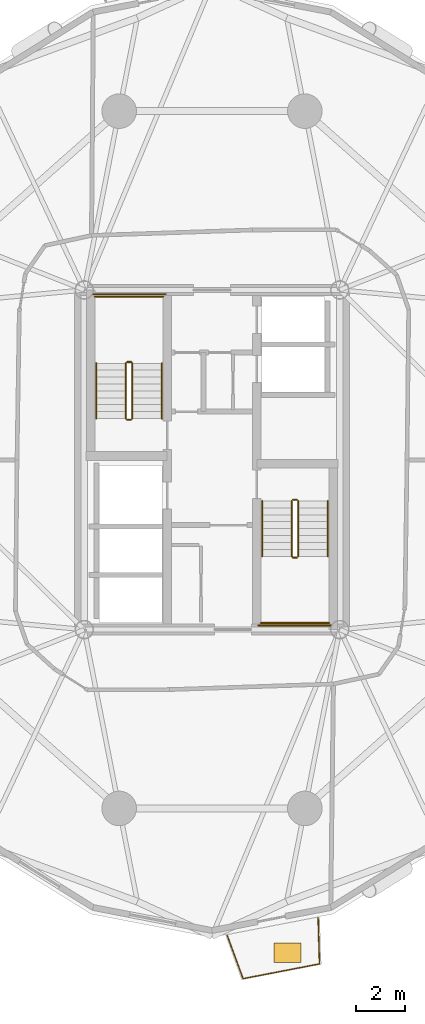
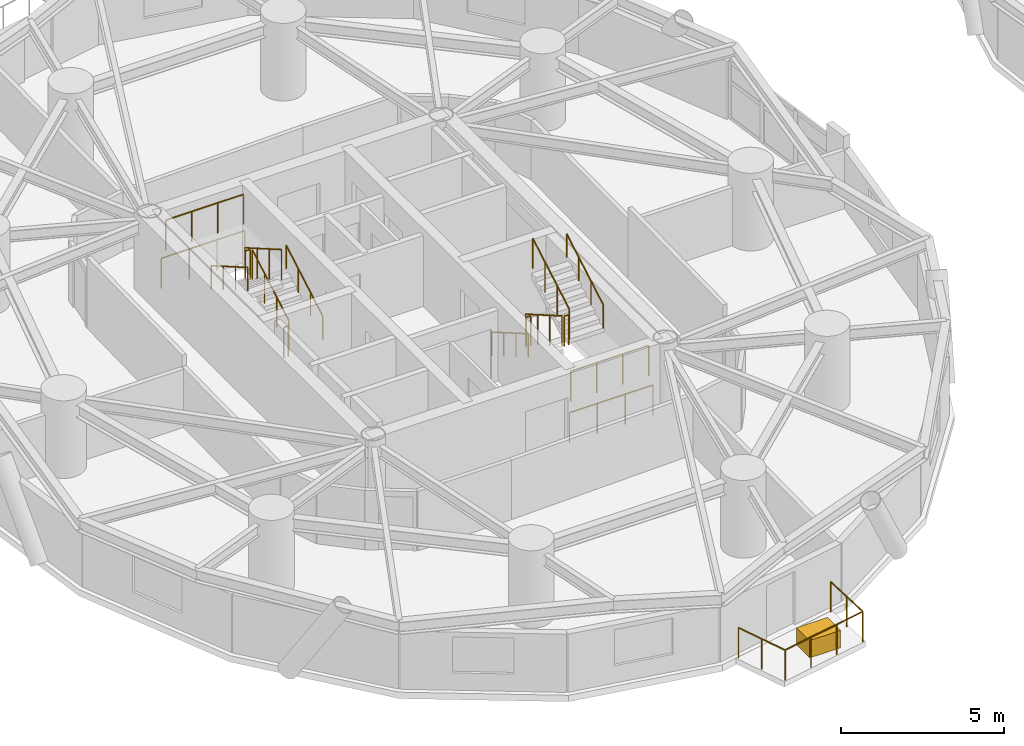
# One storey, part 15 of 17: 17 railings, 1 covering.
"""IFC4 building model written with IfcOpenShell, lengths in metres."""

import ifcopenshell
import ifcopenshell.guid

model = None  # the IFC model being written
_history = None  # IfcOwnerHistory: only IFC2X3 demands one
_inside = {}  # id of a spatial element -> (the spatial element, [elements in it])
_under = {}  # id of a project, library or spatial element -> (it, [spatial elements below it])
_declared = {}  # id of a project -> (the project, [libraries it declares])
_typed = {}  # id of a type object -> (the type object, [elements of that type])
_made_of = {}  # id of a material, layer set ... -> (it, [elements and type objects made of it])


def new_model(schema):
    """Start an empty IFC model of exactly this schema.

    Asked for "IFC4X3", IfcOpenShell would pick the latest addendum, in which some entities
    have other attributes; the version numbers below select the first issue.
    IFC2X3 requires an IfcOwnerHistory on every rooted entity: one is made here for all.
    """
    global model, _history
    if schema == "IFC4X3":
        model = ifcopenshell.file(schema_version=(4, 3, 0, 0))
    else:
        model = ifcopenshell.file(schema=schema)
    _inside.clear()
    _under.clear()
    _declared.clear()
    _typed.clear()
    _made_of.clear()
    _history = None
    if model.schema == "IFC2X3":
        org = make("IfcOrganization", Name="unknown")
        user = make(
            "IfcPersonAndOrganization",
            ThePerson=make("IfcPerson", FamilyName="unknown"),
            TheOrganization=org,
        )
        app = make(
            "IfcApplication",
            ApplicationDeveloper=org,
            Version="unknown",
            ApplicationFullName="unknown",
            ApplicationIdentifier="unknown",
        )
        _history = make(
            "IfcOwnerHistory",
            OwningUser=user,
            OwningApplication=app,
            ChangeAction="ADDED",
            CreationDate=0,
        )
    return model


def make(cls, **values):
    """One entity of the class cls with the attributes given. An attribute that is None is left unset."""
    return model.create_entity(
        cls, **{name: value for name, value in values.items() if value is not None}
    )


def rooted(cls, **values):
    """An entity with a GlobalId (a new one), such as an element, a storey or a relation."""
    return make(cls, GlobalId=ifcopenshell.guid.new(), OwnerHistory=_history, **values)


def si_unit(unit_type, name, prefix=None):
    """IfcSIUnit, for example si_unit("LENGTHUNIT", "METRE", prefix="MILLI")."""
    return make("IfcSIUnit", UnitType=unit_type, Prefix=prefix, Name=name)


def assignment(units):
    """IfcUnitAssignment: the units of a project."""
    return None if units is None else make("IfcUnitAssignment", Units=units)


def point(xyz):
    """IfcCartesianPoint."""
    return None if xyz is None else make("IfcCartesianPoint", Coordinates=xyz)


def direction(xyz):
    """IfcDirection."""
    return None if xyz is None else make("IfcDirection", DirectionRatios=xyz)


def frame(location, z_axis=None, x_axis=None):
    """IfcAxis2Placement3D, a coordinate frame: its origin and axes. An axis left out is left unset."""
    return make(
        "IfcAxis2Placement3D",
        Location=point(location),
        Axis=direction(z_axis),
        RefDirection=direction(x_axis),
    )


def frame_2d(location, x_axis=None):
    """IfcAxis2Placement2D, a coordinate frame in the plane: its origin and x axis."""
    return make(
        "IfcAxis2Placement2D", Location=point(location), RefDirection=direction(x_axis)
    )


def origin():
    """The frame at (0, 0, 0) with its axes left unset."""
    return frame((0.0, 0.0, 0.0))


def origin_2d():
    """The frame at (0, 0) in the plane with its x axis left unset."""
    return frame_2d((0.0, 0.0))


def place(relative_to, where):
    """IfcLocalPlacement: puts the frame where relative to a parent placement (None: the world)."""
    return make(
        "IfcLocalPlacement", PlacementRelTo=relative_to, RelativePlacement=where
    )


def context(
    kind, dimensions, precision=None, world=None, true_north=None, identifier=None
):
    """IfcGeometricRepresentationContext, for example the 3D "Model" context."""
    return make(
        "IfcGeometricRepresentationContext",
        ContextIdentifier=identifier,
        ContextType=kind,
        CoordinateSpaceDimension=dimensions,
        Precision=precision,
        WorldCoordinateSystem=world,
        TrueNorth=true_north,
    )


def subcontext(parent, identifier, kind, view, scale=None):
    """IfcGeometricRepresentationSubContext, for example "Body" below "Model"."""
    return make(
        "IfcGeometricRepresentationSubContext",
        ContextIdentifier=identifier,
        ContextType=kind,
        ParentContext=parent,
        TargetScale=scale,
        TargetView=view,
    )


def project(units=None, contexts=None):
    """IfcProject with its units and contexts."""
    return rooted(
        "IfcProject",
        Name="project",
        RepresentationContexts=contexts,
        UnitsInContext=assignment(units),
    )


def spatial(cls, under=None, at=None, **own):
    """A site, building, storey or space (cls), placed at a placement, below another one or the project."""
    s = rooted(cls, ObjectPlacement=at, **own)
    if under is not None:
        _under.setdefault(under.id(), (under, []))[1].append(s)
    return s


def profile(cls, at=None, kind="AREA", **sizes):
    """A parametric profile (cls). Its sizes go by their IFC names, for example OverallWidth=200.0."""
    return make(cls, ProfileType=kind, Position=at, **sizes)


def rectangle(**sizes):
    """IfcRectangleProfileDef."""
    return profile("IfcRectangleProfileDef", **sizes)


def circle(**sizes):
    """IfcCircleProfileDef."""
    return profile("IfcCircleProfileDef", **sizes)


def extrude(swept, where, along, depth):
    """IfcExtrudedAreaSolid: the profile swept, set in the frame where, extruded along a direction by depth."""
    return make(
        "IfcExtrudedAreaSolid",
        SweptArea=swept,
        Position=where,
        ExtrudedDirection=direction(along),
        Depth=depth,
    )


def shape(context_of_items, identifier, shape_type, items):
    """IfcShapeRepresentation: the items that make up one representation, for example the "Body"."""
    return make(
        "IfcShapeRepresentation",
        ContextOfItems=context_of_items,
        RepresentationIdentifier=identifier,
        RepresentationType=shape_type,
        Items=items,
    )


def source(mapping_origin, context_of_items, identifier, shape_type, items):
    """IfcRepresentationMap: a shape defined once, which mapped items show again and again."""
    return make(
        "IfcRepresentationMap",
        MappingOrigin=mapping_origin,
        MappedRepresentation=shape(context_of_items, identifier, shape_type, items),
    )


def transform(
    local_origin,
    x_axis=None,
    y_axis=None,
    z_axis=None,
    scale=None,
    scale2=None,
    scale3=None,
    uniform=True,
):
    """IfcCartesianTransformationOperator3D, or its non-uniform kind. x_axis, y_axis, z_axis: its Axis1, 2, 3."""
    if uniform:
        return make(
            "IfcCartesianTransformationOperator3D",
            Axis1=direction(x_axis),
            Axis2=direction(y_axis),
            LocalOrigin=point(local_origin),
            Scale=scale,
            Axis3=direction(z_axis),
        )
    return make(
        "IfcCartesianTransformationOperator3DnonUniform",
        Axis1=direction(x_axis),
        Axis2=direction(y_axis),
        LocalOrigin=point(local_origin),
        Scale=scale,
        Axis3=direction(z_axis),
        Scale2=scale2,
        Scale3=scale3,
    )


def mapped(mapping_source, mapping_target):
    """IfcMappedItem: shows the shape of a source again, moved by a transform."""
    return make(
        "IfcMappedItem", MappingSource=mapping_source, MappingTarget=mapping_target
    )


def material(Name=None, Category=None):
    """IfcMaterial."""
    return make("IfcMaterial", Name=Name, Category=Category)


def layer(
    of_material, thickness, ventilated=None, Name=None, Category=None, Priority=None
):
    """IfcMaterialLayer: one layer of a wall or slab, of a material (None: an air gap)."""
    return make(
        "IfcMaterialLayer",
        Material=of_material,
        LayerThickness=thickness,
        IsVentilated=ventilated,
        Name=Name,
        Category=Category,
        Priority=Priority,
    )


def layer_set(layers, Name=None):
    """IfcMaterialLayerSet."""
    return make("IfcMaterialLayerSet", MaterialLayers=layers, LayerSetName=Name)


def made_of(thing, what):
    """Note that an element or type object is made of a material, layer set ...; save() writes the relation."""
    if what is not None:
        _made_of.setdefault(what.id(), (what, []))[1].append(thing)
    return thing


def type_object(cls, material=None, **own):
    """A type object (cls), such as IfcWallType, which elements share."""
    return made_of(rooted(cls, **own), material)


def element(
    cls,
    number,
    at=None,
    inside=None,
    cuts=None,
    type_object=None,
    material=None,
    context=None,
    identifier="Body",
    shape_type=None,
    held_by="IfcProductDefinitionShape",
    body=None,
    shapes=None,
    **own,
):
    """One element of the class cls, such as IfcWall. Its Tag is "e" and its number.

    at: its placement. inside: the storey or other place that contains it. cuts: it is an
    opening in that element (IfcRelVoidsElement). A single representation is given by context,
    identifier, shape_type and body (its items); several are given by shapes. held_by: the class
    of the entity that holds the representations. save() writes the other relations.
    """
    e = rooted(cls, Tag="e%d" % number, ObjectPlacement=at, **own)
    if body is not None:
        shapes = [shape(context, identifier, shape_type, body)]
    if shapes is not None:
        e.Representation = make(held_by, Representations=shapes)
    if inside is not None:
        _inside.setdefault(inside.id(), (inside, []))[1].append(e)
    if cuts is not None:
        rooted(
            "IfcRelVoidsElement", RelatingBuildingElement=cuts, RelatedOpeningElement=e
        )
    if type_object is not None:
        _typed.setdefault(type_object.id(), (type_object, []))[1].append(e)
    return made_of(e, material)


def aggregate(whole, parts):
    """IfcRelAggregates: a whole, such as a stair, and the parts it consists of."""
    return rooted("IfcRelAggregates", RelatingObject=whole, RelatedObjects=parts)


def save(model, path):
    """Write the relations noted so far, then the file.

    IfcRelAggregates (storeys below a building ...), IfcRelContainedInSpatialStructure (elements
    in a storey), IfcRelDefinesByType, IfcRelAssociatesMaterial and IfcRelDeclares: one each for
    every whole, place, type object, material and project.
    """
    for whole, parts in _under.values():
        aggregate(whole, parts)
    for where, things in _inside.values():
        rooted(
            "IfcRelContainedInSpatialStructure",
            RelatedElements=things,
            RelatingStructure=where,
        )
    for kind, things in _typed.values():
        rooted("IfcRelDefinesByType", RelatedObjects=things, RelatingType=kind)
    for what, things in _made_of.values():
        rooted("IfcRelAssociatesMaterial", RelatedObjects=things, RelatingMaterial=what)
    for by, libraries in _declared.values():
        rooted("IfcRelDeclares", RelatingContext=by, RelatedDefinitions=libraries)
    model.write(path)


model = new_model("IFC4")

# Units and contexts
model_context = context("Model", 3, precision=1e-05, world=origin(), true_north=direction((0.0, 1.0)))
body_context = subcontext(model_context, "Body", "Model", "MODEL_VIEW")
ifc_project = project(units=[si_unit("LENGTHUNIT", "METRE"), si_unit("AREAUNIT", "SQUARE_METRE"), si_unit("VOLUMEUNIT", "CUBIC_METRE"), si_unit("PLANEANGLEUNIT", "RADIAN"), si_unit("MASSUNIT", "GRAM", prefix="KILO")], contexts=[model_context])

# Site, building, storey
site_placement = place(None, origin())
site = spatial("IfcSite", under=ifc_project, at=site_placement, CompositionType="ELEMENT")
building_placement = place(site_placement, origin())
building = spatial("IfcBuilding", under=site, at=building_placement, Name="Cununo Teusaquillo Station Towers", CompositionType="ELEMENT")
storey_placement = place(building_placement, frame((0.0, 0.0, 70.14990234375)))
storey = spatial("IfcBuildingStorey", under=building, at=storey_placement, Name="L21", CompositionType="ELEMENT", Elevation=70.14990234375)

# Railings
ifc_material_1 = material(Name="Anodised dark bronze aluminium EN AW-6063-T6", Category="aluminium")
railing_type_1 = type_object("IfcRailingType", Name="RL-EXT-GUARD", PredefinedType="GUARDRAIL", material=ifc_material_1)
railing_1_placement = place(storey_placement, frame((20.79833984375, 5.939453125, 0.0)))
element("IfcRailing", 1, at=railing_1_placement, inside=storey, type_object=railing_type_1, Name="L21 Tower A Balcony Guardrail C15", PredefinedType="GUARDRAIL", context=body_context, shape_type="SweptSolid", body=[
    extrude(circle(Radius=0.02392578125, at=origin_2d()), frame((0.0, 0.0, 1.1259765625), z_axis=(0.030662031384, -0.999529809376, 0.0), x_axis=(0.999529809376, 0.030662031384, 0.0)), (0.0, 0.0, 1.0), 1.86328125),
    extrude(circle(Radius=0.02392578125, at=origin_2d()), frame((0.05712890625, -1.8623046875, 1.1259765625), z_axis=(-0.981834317938, -0.189740275429, 0.0), x_axis=(0.189740275429, -0.981834317938, 0.0)), (0.0, 0.0, 1.0), 3.15380859375),
    extrude(circle(Radius=0.02392578125, at=origin_2d()), frame((-3.039306640625, -2.460693359375, 1.1259765625), z_axis=(-0.343962021681, 0.9389835609, 0.0), x_axis=(-0.9389835609, -0.343962021681, 0.0)), (0.0, 0.0, 1.0), 1.86328125),
    extrude(circle(Radius=0.02099609375, at=origin_2d()), origin(), (0.0, 0.0, 1.0), 1.101806640625),
    extrude(circle(Radius=0.02099609375, at=origin_2d()), frame((0.028564453125, -0.93115234375, 0.0)), (0.0, 0.0, 1.0), 1.101806640625),
    extrude(circle(Radius=0.02099609375, at=origin_2d()), frame((0.05712890625, -1.8623046875, 0.0)), (0.0, 0.0, 1.0), 1.101806640625),
    extrude(circle(Radius=0.02099609375, at=origin_2d()), frame((-0.97509765625, -2.061767578125, 0.0)), (0.0, 0.0, 1.0), 1.101806640625),
    extrude(circle(Radius=0.02099609375, at=origin_2d()), frame((-2.007080078125, -2.26123046875, 0.0)), (0.0, 0.0, 1.0), 1.101806640625),
    extrude(circle(Radius=0.02099609375, at=origin_2d()), frame((-3.039306640625, -2.460693359375, 0.0)), (0.0, 0.0, 1.0), 1.101806640625),
    extrude(circle(Radius=0.02099609375, at=origin_2d()), frame((-3.35986328125, -1.5859375, 0.0)), (0.0, 0.0, 1.0), 1.101806640625),
    extrude(circle(Radius=0.02099609375, at=origin_2d()), frame((-3.68017578125, -0.711181640625, 0.0)), (0.0, 0.0, 1.0), 1.101806640625),
])
ifc_material_2 = material(Name="Steel EN 10025-2 S355J2", Category="steel")
railing_type_2 = type_object("IfcRailingType", Name="RL-INT-GUARD", PredefinedType="GUARDRAIL", material=ifc_material_2)
railing_2_placement = place(storey_placement, frame((13.27001953125, 26.169921875, 0.161865234375)))
element("IfcRailing", 2, at=railing_2_placement, inside=storey, type_object=railing_type_2, Name="L21 ST-T1-1 stair guard 1", PredefinedType="GUARDRAIL", context=body_context, shape_type="SweptSolid", body=[
    extrude(circle(Radius=0.02392578125, at=origin_2d()), frame((0.0, 0.0, 1.1259765625), z_axis=(0.0, 0.866033117094, 0.499986639918), x_axis=(-1.0, 0.0, 0.0)), (0.0, 0.0, 1.0), 2.58642578125),
    extrude(circle(Radius=0.02099609375, at=origin_2d()), origin(), (0.0, 0.0, 1.0), 1.101806640625),
    extrude(circle(Radius=0.02099609375, at=origin_2d()), frame((0.0, 0.74658203125, 0.43115234375)), (0.0, 0.0, 1.0), 1.101806640625),
    extrude(circle(Radius=0.02099609375, at=origin_2d()), frame((0.0, 1.493408203125, 0.862060546875)), (0.0, 0.0, 1.0), 1.101806640625),
    extrude(circle(Radius=0.02099609375, at=origin_2d()), frame((0.0, 2.239990234375, 1.293212890625)), (0.0, 0.0, 1.0), 1.101806640625),
])
railing_3_placement = place(storey_placement, frame((13.219970703125, 28.4599609375, 1.455078125)))
element("IfcRailing", 3, at=railing_3_placement, inside=storey, type_object=railing_type_2, Name="L21 ST-T1-1 stair guard 2", PredefinedType="GUARDRAIL", context=body_context, shape_type="SweptSolid", body=[
    extrude(circle(Radius=0.02392578125, at=origin_2d()), frame((0.0, 0.0, 1.1259765625), z_axis=(-1.0, 0.0, 0.0), x_axis=(0.0, -1.0, 0.0)), (0.0, 0.0, 1.0), 0.159912109375),
    extrude(circle(Radius=0.02099609375, at=origin_2d()), origin(), (0.0, 0.0, 1.0), 1.101806640625),
    extrude(circle(Radius=0.02099609375, at=origin_2d()), frame((-0.159912109375, 0.0, 0.0)), (0.0, 0.0, 1.0), 1.101806640625),
])
railing_4_placement = place(storey_placement, frame((14.52001953125, 31.110107421875, 1.455078125)))
element("IfcRailing", 4, at=railing_4_placement, inside=storey, type_object=railing_type_2, Name="L21 ST-T1-1 stair guard 3", PredefinedType="GUARDRAIL", context=body_context, shape_type="SweptSolid", body=[
    extrude(circle(Radius=0.02392578125, at=origin_2d()), frame((0.0, 0.0, 1.1259765625), z_axis=(-1.0, 0.0, 0.0), x_axis=(0.0, -1.0, 0.0)), (0.0, 0.0, 1.0), 2.760009765625),
    extrude(circle(Radius=0.02099609375, at=origin_2d()), origin(), (0.0, 0.0, 1.0), 1.101806640625),
    extrude(circle(Radius=0.02099609375, at=origin_2d()), frame((-0.919921875, 0.0, 0.0)), (0.0, 0.0, 1.0), 1.101806640625),
    extrude(circle(Radius=0.02099609375, at=origin_2d()), frame((-1.840087890625, 0.0, 0.0)), (0.0, 0.0, 1.0), 1.101806640625),
    extrude(circle(Radius=0.02099609375, at=origin_2d()), frame((-2.760009765625, 0.0, 0.0)), (0.0, 0.0, 1.0), 1.101806640625),
])
railing_5_placement = place(storey_placement, frame((13.010009765625, 28.409912109375, 1.61669921875)))
element("IfcRailing", 5, at=railing_5_placement, inside=storey, type_object=railing_type_2, Name="L21 ST-T1-1 stair guard 4", PredefinedType="GUARDRAIL", context=body_context, shape_type="SweptSolid", body=[
    extrude(circle(Radius=0.02392578125, at=origin_2d()), frame((0.0, 0.0, 1.1259765625), z_axis=(0.0, -0.865992244559, 0.500057429065), x_axis=(1.0, 0.0, 0.0)), (0.0, 0.0, 1.0), 2.586669921875),
    extrude(circle(Radius=0.02099609375, at=origin_2d()), origin(), (0.0, 0.0, 1.0), 1.101806640625),
    extrude(circle(Radius=0.02099609375, at=origin_2d()), frame((0.0, -0.74658203125, 0.43115234375)), (0.0, 0.0, 1.0), 1.101806640625),
    extrude(circle(Radius=0.02099609375, at=origin_2d()), frame((0.0, -1.493408203125, 0.8623046875)), (0.0, 0.0, 1.0), 1.101806640625),
    extrude(circle(Radius=0.02099609375, at=origin_2d()), frame((0.0, -2.239990234375, 1.29345703125)), (0.0, 0.0, 1.0), 1.101806640625),
])
railing_6_placement = place(storey_placement, frame((13.219970703125, 26.1201171875, 0.0)))
element("IfcRailing", 6, at=railing_6_placement, inside=storey, type_object=railing_type_2, Name="L21 ST-T1-1 stair guard 5", PredefinedType="GUARDRAIL", context=body_context, shape_type="SweptSolid", body=[
    extrude(circle(Radius=0.02392578125, at=origin_2d()), frame((0.0, 0.0, 1.1259765625), z_axis=(-1.0, 0.0, 0.0), x_axis=(0.0, -1.0, 0.0)), (0.0, 0.0, 1.0), 0.159912109375),
    extrude(circle(Radius=0.02099609375, at=origin_2d()), origin(), (0.0, 0.0, 1.0), 1.101806640625),
    extrude(circle(Radius=0.02099609375, at=origin_2d()), frame((-0.159912109375, 0.0, 0.0)), (0.0, 0.0, 1.0), 1.101806640625),
])
railing_7_placement = place(storey_placement, frame((14.6201171875, 31.2099609375, 0.0)))
element("IfcRailing", 7, at=railing_7_placement, inside=storey, type_object=railing_type_2, Name="L21 ST-T1-1 stair guard 6", PredefinedType="GUARDRAIL", context=body_context, shape_type="SweptSolid", body=[
    extrude(circle(Radius=0.02392578125, at=origin_2d()), frame((0.0, 0.0, 1.1259765625), z_axis=(-1.0, 0.0, 0.0), x_axis=(0.0, -1.0, 0.0)), (0.0, 0.0, 1.0), 2.960205078125),
    extrude(circle(Radius=0.02099609375, at=origin_2d()), origin(), (0.0, 0.0, 1.0), 1.101806640625),
    extrude(circle(Radius=0.02099609375, at=origin_2d()), frame((-0.98681640625, 0.0, 0.0)), (0.0, 0.0, 1.0), 1.101806640625),
    extrude(circle(Radius=0.02099609375, at=origin_2d()), frame((-1.973388671875, 0.0, 0.0)), (0.0, 0.0, 1.0), 1.101806640625),
    extrude(circle(Radius=0.02099609375, at=origin_2d()), frame((-2.960205078125, 0.0, 0.0)), (0.0, 0.0, 1.0), 1.101806640625),
])
railing_8_placement = place(storey_placement, frame((19.72998046875, 22.830078125, 0.161865234375)))
element("IfcRailing", 8, at=railing_8_placement, inside=storey, type_object=railing_type_2, Name="L21 ST-T1-2 stair guard 1", PredefinedType="GUARDRAIL", context=body_context, shape_type="SweptSolid", body=[
    extrude(circle(Radius=0.02392578125, at=origin_2d()), frame((0.0, 0.0, 1.1259765625), z_axis=(0.0, -0.866033117094, 0.499986639918), x_axis=(1.0, 0.0, 0.0)), (0.0, 0.0, 1.0), 2.58642578125),
    extrude(circle(Radius=0.02099609375, at=origin_2d()), origin(), (0.0, 0.0, 1.0), 1.101806640625),
    extrude(circle(Radius=0.02099609375, at=origin_2d()), frame((0.0, -0.74658203125, 0.43115234375)), (0.0, 0.0, 1.0), 1.101806640625),
    extrude(circle(Radius=0.02099609375, at=origin_2d()), frame((0.0, -1.493408203125, 0.862060546875)), (0.0, 0.0, 1.0), 1.101806640625),
    extrude(circle(Radius=0.02099609375, at=origin_2d()), frame((0.0, -2.239990234375, 1.293212890625)), (0.0, 0.0, 1.0), 1.101806640625),
])
railing_9_placement = place(storey_placement, frame((19.780029296875, 20.5400390625, 1.455078125)))
element("IfcRailing", 9, at=railing_9_placement, inside=storey, type_object=railing_type_2, Name="L21 ST-T1-2 stair guard 2", PredefinedType="GUARDRAIL", context=body_context, shape_type="SweptSolid", body=[
    extrude(circle(Radius=0.02392578125, at=origin_2d()), frame((0.0, 0.0, 1.1259765625), z_axis=(1.0, 0.0, 0.0), x_axis=(0.0, 1.0, 0.0)), (0.0, 0.0, 1.0), 0.159912109375),
    extrude(circle(Radius=0.02099609375, at=origin_2d()), origin(), (0.0, 0.0, 1.0), 1.101806640625),
    extrude(circle(Radius=0.02099609375, at=origin_2d()), frame((0.159912109375, 0.0, 0.0)), (0.0, 0.0, 1.0), 1.101806640625),
])
railing_10_placement = place(storey_placement, frame((18.47998046875, 17.889892578125, 1.455078125)))
element("IfcRailing", 10, at=railing_10_placement, inside=storey, type_object=railing_type_2, Name="L21 ST-T1-2 stair guard 3", PredefinedType="GUARDRAIL", context=body_context, shape_type="SweptSolid", body=[
    extrude(circle(Radius=0.02392578125, at=origin_2d()), frame((0.0, 0.0, 1.1259765625), z_axis=(1.0, 0.0, 0.0), x_axis=(0.0, 1.0, 0.0)), (0.0, 0.0, 1.0), 2.760009765625),
    extrude(circle(Radius=0.02099609375, at=origin_2d()), origin(), (0.0, 0.0, 1.0), 1.101806640625),
    extrude(circle(Radius=0.02099609375, at=origin_2d()), frame((0.919921875, 0.0, 0.0)), (0.0, 0.0, 1.0), 1.101806640625),
    extrude(circle(Radius=0.02099609375, at=origin_2d()), frame((1.840087890625, 0.0, 0.0)), (0.0, 0.0, 1.0), 1.101806640625),
    extrude(circle(Radius=0.02099609375, at=origin_2d()), frame((2.760009765625, 0.0, 0.0)), (0.0, 0.0, 1.0), 1.101806640625),
])
railing_11_placement = place(storey_placement, frame((19.989990234375, 20.590087890625, 1.61669921875)))
element("IfcRailing", 11, at=railing_11_placement, inside=storey, type_object=railing_type_2, Name="L21 ST-T1-2 stair guard 4", PredefinedType="GUARDRAIL", context=body_context, shape_type="SweptSolid", body=[
    extrude(circle(Radius=0.02392578125, at=origin_2d()), frame((0.0, 0.0, 1.1259765625), z_axis=(0.0, 0.865992244559, 0.500057429065), x_axis=(-1.0, 0.0, 0.0)), (0.0, 0.0, 1.0), 2.586669921875),
    extrude(circle(Radius=0.02099609375, at=origin_2d()), origin(), (0.0, 0.0, 1.0), 1.101806640625),
    extrude(circle(Radius=0.02099609375, at=origin_2d()), frame((0.0, 0.74658203125, 0.43115234375)), (0.0, 0.0, 1.0), 1.101806640625),
    extrude(circle(Radius=0.02099609375, at=origin_2d()), frame((0.0, 1.493408203125, 0.8623046875)), (0.0, 0.0, 1.0), 1.101806640625),
    extrude(circle(Radius=0.02099609375, at=origin_2d()), frame((0.0, 2.239990234375, 1.29345703125)), (0.0, 0.0, 1.0), 1.101806640625),
])
railing_12_placement = place(storey_placement, frame((19.780029296875, 22.8798828125, 0.0)))
element("IfcRailing", 12, at=railing_12_placement, inside=storey, type_object=railing_type_2, Name="L21 ST-T1-2 stair guard 5", PredefinedType="GUARDRAIL", context=body_context, shape_type="SweptSolid", body=[
    extrude(circle(Radius=0.02392578125, at=origin_2d()), frame((0.0, 0.0, 1.1259765625), z_axis=(1.0, 0.0, 0.0), x_axis=(0.0, 1.0, 0.0)), (0.0, 0.0, 1.0), 0.159912109375),
    extrude(circle(Radius=0.02099609375, at=origin_2d()), origin(), (0.0, 0.0, 1.0), 1.101806640625),
    extrude(circle(Radius=0.02099609375, at=origin_2d()), frame((0.159912109375, 0.0, 0.0)), (0.0, 0.0, 1.0), 1.101806640625),
])
railing_13_placement = place(storey_placement, frame((18.3798828125, 17.7900390625, 0.0)))
element("IfcRailing", 13, at=railing_13_placement, inside=storey, type_object=railing_type_2, Name="L21 ST-T1-2 stair guard 6", PredefinedType="GUARDRAIL", context=body_context, shape_type="SweptSolid", body=[
    extrude(circle(Radius=0.02392578125, at=origin_2d()), frame((0.0, 0.0, 1.1259765625), z_axis=(1.0, 0.0, 0.0), x_axis=(0.0, 1.0, 0.0)), (0.0, 0.0, 1.0), 2.960205078125),
    extrude(circle(Radius=0.02099609375, at=origin_2d()), origin(), (0.0, 0.0, 1.0), 1.101806640625),
    extrude(circle(Radius=0.02099609375, at=origin_2d()), frame((0.98681640625, 0.0, 0.0)), (0.0, 0.0, 1.0), 1.101806640625),
    extrude(circle(Radius=0.02099609375, at=origin_2d()), frame((1.973388671875, 0.0, 0.0)), (0.0, 0.0, 1.0), 1.101806640625),
    extrude(circle(Radius=0.02099609375, at=origin_2d()), frame((2.960205078125, 0.0, 0.0)), (0.0, 0.0, 1.0), 1.101806640625),
])
ifc_material_3 = material(Name="Steel EN 10025-2 S355J2", Category="steel")
railing_type_3 = type_object("IfcRailingType", Name="RL-INT-HRAIL", PredefinedType="HANDRAIL", material=ifc_material_3)
railing_14_placement = place(storey_placement, frame((14.469970703125, 26.169921875, 0.161865234375)))
element("IfcRailing", 14, at=railing_14_placement, inside=storey, type_object=railing_type_3, Name="L21 ST-T1-1 stair handrail 1", PredefinedType="HANDRAIL", context=body_context, shape_type="SweptSolid", body=[
    extrude(circle(Radius=0.02392578125, at=origin_2d()), frame((0.0, 0.0, 0.8759765625), z_axis=(0.0, 0.866033117094, 0.499986639918), x_axis=(-1.0, 0.0, 0.0)), (0.0, 0.0, 1.0), 2.58642578125),
    extrude(circle(Radius=0.02099609375, at=origin_2d()), origin(), (0.0, 0.0, 1.0), 0.851806640625),
    extrude(circle(Radius=0.02099609375, at=origin_2d()), frame((0.0, 0.74658203125, 0.43115234375)), (0.0, 0.0, 1.0), 0.851806640625),
    extrude(circle(Radius=0.02099609375, at=origin_2d()), frame((0.0, 1.493408203125, 0.862060546875)), (0.0, 0.0, 1.0), 0.851806640625),
    extrude(circle(Radius=0.02099609375, at=origin_2d()), frame((0.0, 2.239990234375, 1.293212890625)), (0.0, 0.0, 1.0), 0.851806640625),
])
railing_15_placement = place(storey_placement, frame((11.81005859375, 28.409912109375, 1.61669921875)))
element("IfcRailing", 15, at=railing_15_placement, inside=storey, type_object=railing_type_3, Name="L21 ST-T1-1 stair handrail 2", PredefinedType="HANDRAIL", context=body_context, shape_type="SweptSolid", body=[
    extrude(circle(Radius=0.02392578125, at=origin_2d()), frame((0.0, 0.0, 0.8759765625), z_axis=(0.0, -0.865992244559, 0.500057429065), x_axis=(1.0, 0.0, 0.0)), (0.0, 0.0, 1.0), 2.586669921875),
    extrude(circle(Radius=0.02099609375, at=origin_2d()), origin(), (0.0, 0.0, 1.0), 0.851806640625),
    extrude(circle(Radius=0.02099609375, at=origin_2d()), frame((0.0, -0.74658203125, 0.43115234375)), (0.0, 0.0, 1.0), 0.851806640625),
    extrude(circle(Radius=0.02099609375, at=origin_2d()), frame((0.0, -1.493408203125, 0.8623046875)), (0.0, 0.0, 1.0), 0.851806640625),
    extrude(circle(Radius=0.02099609375, at=origin_2d()), frame((0.0, -2.239990234375, 1.29345703125)), (0.0, 0.0, 1.0), 0.851806640625),
])
railing_16_placement = place(storey_placement, frame((18.530029296875, 22.830078125, 0.161865234375)))
element("IfcRailing", 16, at=railing_16_placement, inside=storey, type_object=railing_type_3, Name="L21 ST-T1-2 stair handrail 1", PredefinedType="HANDRAIL", context=body_context, shape_type="SweptSolid", body=[
    extrude(circle(Radius=0.02392578125, at=origin_2d()), frame((0.0, 0.0, 0.8759765625), z_axis=(0.0, -0.866033117094, 0.499986639918), x_axis=(1.0, 0.0, 0.0)), (0.0, 0.0, 1.0), 2.58642578125),
    extrude(circle(Radius=0.02099609375, at=origin_2d()), origin(), (0.0, 0.0, 1.0), 0.851806640625),
    extrude(circle(Radius=0.02099609375, at=origin_2d()), frame((0.0, -0.74658203125, 0.43115234375)), (0.0, 0.0, 1.0), 0.851806640625),
    extrude(circle(Radius=0.02099609375, at=origin_2d()), frame((0.0, -1.493408203125, 0.862060546875)), (0.0, 0.0, 1.0), 0.851806640625),
    extrude(circle(Radius=0.02099609375, at=origin_2d()), frame((0.0, -2.239990234375, 1.293212890625)), (0.0, 0.0, 1.0), 0.851806640625),
])
railing_17_placement = place(storey_placement, frame((21.18994140625, 20.590087890625, 1.61669921875)))
element("IfcRailing", 17, at=railing_17_placement, inside=storey, type_object=railing_type_3, Name="L21 ST-T1-2 stair handrail 2", PredefinedType="HANDRAIL", context=body_context, shape_type="SweptSolid", body=[
    extrude(circle(Radius=0.02392578125, at=origin_2d()), frame((0.0, 0.0, 0.8759765625), z_axis=(0.0, 0.865992244559, 0.500057429065), x_axis=(-1.0, 0.0, 0.0)), (0.0, 0.0, 1.0), 2.586669921875),
    extrude(circle(Radius=0.02099609375, at=origin_2d()), origin(), (0.0, 0.0, 1.0), 0.851806640625),
    extrude(circle(Radius=0.02099609375, at=origin_2d()), frame((0.0, 0.74658203125, 0.43115234375)), (0.0, 0.0, 1.0), 0.851806640625),
    extrude(circle(Radius=0.02099609375, at=origin_2d()), frame((0.0, 1.493408203125, 0.8623046875)), (0.0, 0.0, 1.0), 0.851806640625),
    extrude(circle(Radius=0.02099609375, at=origin_2d()), frame((0.0, 2.239990234375, 1.29345703125)), (0.0, 0.0, 1.0), 0.851806640625),
])

# Covering
ifc_material_4 = material(Name="Architectural GRC planter shell and engineered root-zone substrate", Category="concrete")
ifc_layer = layer(ifc_material_4, 0.64990234375)
ifc_layer_set = layer_set([ifc_layer], Name="Architectural GRC planter shell and engineered root-zone substrate")
covering_type = type_object("IfcCoveringType", Name="COV-TREE-PLANTER", PredefinedType="CLADDING", material=ifc_layer_set)
shared_shape = source(origin(), body_context, "Body", "SweptSolid", [
    extrude(rectangle(XDim=1.10009765625, YDim=0.800048828125, at=origin_2d()), origin(), (0.0, 0.0, 1.0), 0.64990234375),
])
covering_placement = place(storey_placement, frame((19.5537109375, 4.531494140625, 0.000244140625), z_axis=(0.0, 0.0, 1.0), x_axis=(1.0, 0.0, 0.0)))
element("IfcCovering", 18, at=covering_placement, inside=storey, type_object=covering_type, Name="L21 Tower A Balcony Tree PLANTER C15", PredefinedType="CLADDING", context=body_context, shape_type="MappedRepresentation", body=[
    mapped(shared_shape, transform((0.0, 0.0, 0.0), x_axis=(1.0, 0.0, 0.0), y_axis=(0.0, 1.0, 0.0), z_axis=(0.0, 0.0, 1.0), scale=1.0)),
])

save(model, "model.ifc")
